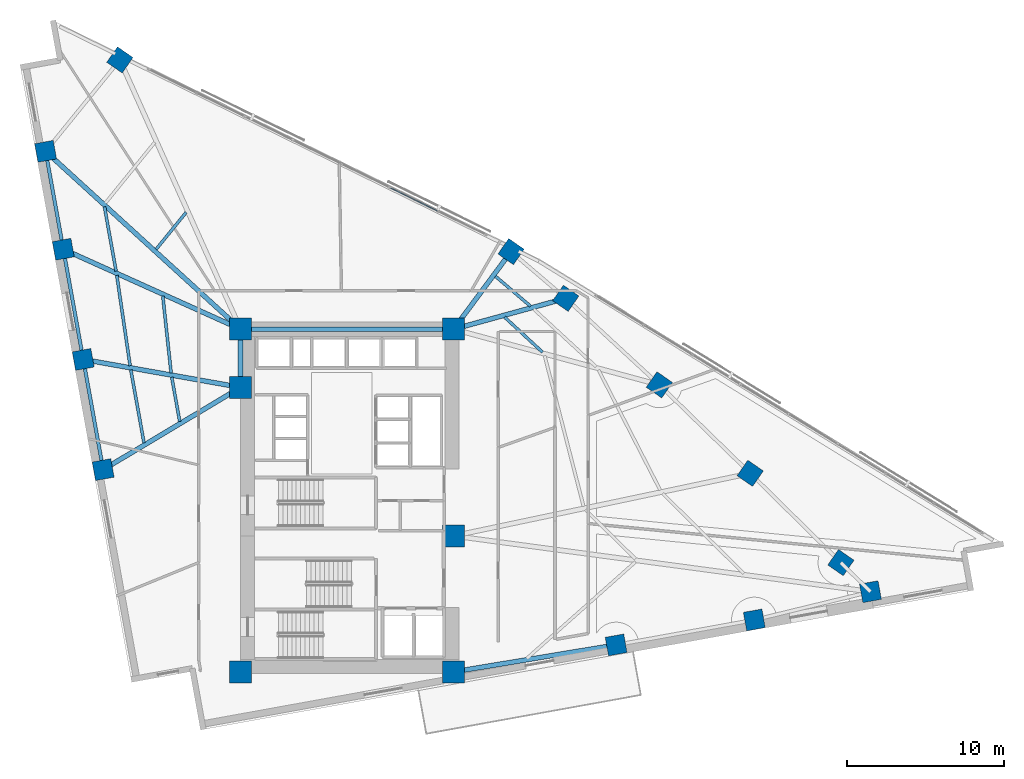
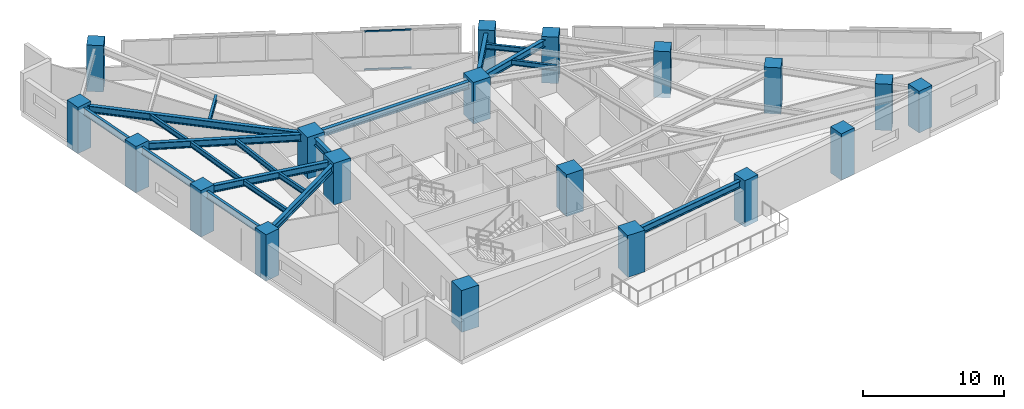
# One storey, part 1 of 18: 20 beams, 19 columns, 2 members, 1 element without a shape of its own.
"""IFC4 building model written with IfcOpenShell, lengths in metres."""

from ifc_helpers import new_model, si_unit, direction, frame, origin, origin_2d, place, context, subcontext, project, spatial, rectangle, hollow_rectangle, i_section, extrude, material, material_profile, profile_set, type_object, element, aggregate, save


model = new_model("IFC4")

# Units and contexts
model_context = context("Model", 3, precision=1e-05, world=origin(), true_north=direction((0.0, 1.0)))
body_context = subcontext(model_context, "Body", "Model", "MODEL_VIEW")
ifc_project = project(units=[si_unit("LENGTHUNIT", "METRE"), si_unit("AREAUNIT", "SQUARE_METRE"), si_unit("VOLUMEUNIT", "CUBIC_METRE"), si_unit("PLANEANGLEUNIT", "RADIAN"), si_unit("MASSUNIT", "GRAM", prefix="KILO")], contexts=[model_context])

# Site, building, storey
site_placement = place(None, origin())
site = spatial("IfcSite", under=ifc_project, at=site_placement, CompositionType="ELEMENT")
building_placement = place(site_placement, origin())
building = spatial("IfcBuilding", under=site, at=building_placement, Name="Narakoshi Arena Tower", CompositionType="ELEMENT")
storey_placement = place(building_placement, frame((0.0, 0.0, 95.699951171875)))
storey = spatial("IfcBuildingStorey", under=building, at=storey_placement, Name="L25", CompositionType="ELEMENT", Elevation=95.699951171875)

# Columns
ifc_material_1 = material(Name="Concrete C60/75", Category="concrete")
ifc_material_profile_1 = material_profile(ifc_material_1, rectangle(XDim=1.199951171875, YDim=1.199951171875, at=origin_2d()), Name="RC1200x1200")
ifc_profile_set_1 = profile_set([ifc_material_profile_1], Name="Concrete C60/75")
column_type_1 = type_object("IfcColumnType", Name="COL-RC1200", PredefinedType="COLUMN", material=ifc_profile_set_1)
for number, where, z_axis, x_axis, name in (
    (1, (95.89013671875, 36.411865234375, -0.39990234375), (0.0, 0.0, 1.0), (0.984040697646, 0.177943545474, 0.0), "L25 Tower Perimeter Column TC02"),
    (2, (104.681396484375, 38.00146484375, -0.39990234375), (0.0, 0.0, 1.0), (0.984040697646, 0.177943545474, 0.0), "L25 Tower Perimeter Column TC03"),
):
    element("IfcColumn", number, at=place(storey_placement, frame(where, z_axis=z_axis, x_axis=x_axis)), inside=storey, type_object=column_type_1, Name=name, PredefinedType="COLUMN", context=body_context, shape_type="SweptSolid", body=[
        extrude(rectangle(XDim=1.199951171875, YDim=1.199951171875, at=origin_2d()), origin(), (0.0, 0.0, 1.0), 4.0),
    ])
column_1_placement = place(storey_placement, frame((112.0703125, 39.7978515625, 0.0), z_axis=(0.0, 0.0, 1.0), x_axis=(0.984040697646, 0.177943545474, 0.0)))
element("IfcColumn", 3, at=column_1_placement, inside=storey, type_object=column_type_1, Name="L25 Tower Perimeter Column TC04", PredefinedType="COLUMN", context=body_context, shape_type="SweptSolid", body=[
    extrude(rectangle(XDim=1.199951171875, YDim=1.199951171875, at=origin_2d()), origin(), (0.0, 0.0, 1.0), 3.60009765625),
])
for number, where, z_axis, x_axis, name in (
    (4, (110.189208984375, 41.650146484375, -0.39990234375), (0.0, 0.0, 1.0), (0.569996762596, 0.821646937942, 0.0), "L25 Tower Perimeter Column TC05"),
    (5, (104.42041015625, 47.33056640625, -0.39990234375), (0.0, 0.0, 1.0), (0.569996762596, 0.821646937942, 0.0), "L25 Tower Perimeter Column TC06"),
    (6, (98.641357421875, 52.95849609375, -0.39990234375), (0.0, 0.0, 1.0), (0.569996762596, 0.821646937942, 0.0), "L25 Tower Perimeter Column TC07"),
    (7, (92.68994140625, 58.462890625, -0.39990234375), (0.0, 0.0, 1.0), (0.569996762596, 0.821646937942, 0.0), "L25 Tower Perimeter Column TC08"),
):
    element("IfcColumn", number, at=place(storey_placement, frame(where, z_axis=z_axis, x_axis=x_axis)), inside=storey, type_object=column_type_1, Name=name, PredefinedType="COLUMN", context=body_context, shape_type="SweptSolid", body=[
        extrude(rectangle(XDim=1.199951171875, YDim=1.199951171875, at=origin_2d()), origin(), (0.0, 0.0, 1.0), 4.0),
    ])
column_2_placement = place(storey_placement, frame((89.206787109375, 61.437744140625, 0.0), z_axis=(0.0, 0.0, 1.0), x_axis=(0.569996762596, 0.821646937942, 0.0)))
element("IfcColumn", 8, at=column_2_placement, inside=storey, type_object=column_type_1, Name="L25 Tower Perimeter Column TC09", PredefinedType="COLUMN", context=body_context, shape_type="SweptSolid", body=[
    extrude(rectangle(XDim=1.199951171875, YDim=1.199951171875, at=origin_2d()), origin(), (0.0, 0.0, 1.0), 3.60009765625),
])
for number, where, z_axis, x_axis, name in (
    (9, (64.31787109375, 73.633056640625, -0.39990234375), (0.0, 0.0, 1.0), (0.569996762596, 0.821646937942, 0.0), "L25 Tower Perimeter Column TC11"),
    (10, (59.593505859375, 67.81591796875, -0.39990234375), (0.0, 0.0, 1.0), (-0.177943545474, 0.984040697646, 0.0), "L25 Tower Perimeter Column TC13"),
    (11, (60.72021484375, 61.585205078125, -0.39990234375), (0.0, 0.0, 1.0), (-0.177943545474, 0.984040697646, 0.0), "L25 Tower Perimeter Column TC14"),
    (12, (61.98779296875, 54.575439453125, -0.39990234375), (0.0, 0.0, 1.0), (-0.177943545474, 0.984040697646, 0.0), "L25 Tower Perimeter Column TC15"),
    (13, (63.25537109375, 47.56591796875, -0.39990234375), (0.0, 0.0, 1.0), (-0.177943545474, 0.984040697646, 0.0), "L25 Tower Perimeter Column TC16"),
):
    element("IfcColumn", number, at=place(storey_placement, frame(where, z_axis=z_axis, x_axis=x_axis)), inside=storey, type_object=column_type_1, Name=name, PredefinedType="COLUMN", context=body_context, shape_type="SweptSolid", body=[
        extrude(rectangle(XDim=1.199951171875, YDim=1.199951171875, at=origin_2d()), origin(), (0.0, 0.0, 1.0), 4.0),
    ])
ifc_material_profile_2 = material_profile(ifc_material_1, rectangle(XDim=1.39990234375, YDim=1.39990234375, at=origin_2d()), Name="RC1400x1400")
ifc_profile_set_2 = profile_set([ifc_material_profile_2], Name="Concrete C60/75")
column_type_2 = type_object("IfcColumnType", Name="COL-RC1400", PredefinedType="COLUMN", material=ifc_profile_set_2)
for number, where, z_axis, x_axis, name in (
    (14, (72.0, 34.699951171875, 0.0), (0.0, 0.0, 1.0), (1.0, 0.0, 0.0), "L25 Core Structural Column CC1"),
    (15, (85.550048828125, 34.699951171875, 0.0), (0.0, 0.0, 1.0), (1.0, 0.0, 0.0), "L25 Core Structural Column CC2"),
    (16, (85.550048828125, 43.35009765625, 0.0), (0.0, 0.0, 1.0), (1.0, 0.0, 0.0), "L25 Core Structural Column CC3"),
    (17, (72.0, 52.800048828125, 0.0), (0.0, 0.0, 1.0), (1.0, 0.0, 0.0), "L25 Core Structural Column CC4"),
    (18, (72.0, 56.5, 0.0), (0.0, 0.0, 1.0), (1.0, 0.0, 0.0), "L25 Core Structural Column CC5"),
    (19, (85.550048828125, 56.5, 0.0), (0.0, 0.0, 1.0), (1.0, 0.0, 0.0), "L25 Core Structural Column CC6"),
):
    element("IfcColumn", number, at=place(storey_placement, frame(where, z_axis=z_axis, x_axis=x_axis)), inside=storey, type_object=column_type_2, Name=name, PredefinedType="COLUMN", context=body_context, shape_type="SweptSolid", body=[
        extrude(rectangle(XDim=1.39990234375, YDim=1.39990234375, at=origin_2d()), origin(), (0.0, 0.0, 1.0), 3.60009765625),
    ])

# Beams
ifc_material_2 = material(Name="Structural steel S355J2", Category="steel")
ifc_material_profile_3 = material_profile(ifc_material_2, i_section(OverallWidth=0.219970703125, OverallDepth=0.60009765625, WebThickness=0.011962890625, FlangeThickness=0.01904296875, FilletRadius=0.02392578125, at=origin_2d()), Name="IPE600")
ifc_profile_set_3 = profile_set([ifc_material_profile_3], Name="Structural steel S355J2")
beam_type_1 = type_object("IfcBeamType", Name="BM-EDGE-600", PredefinedType="BEAM", material=ifc_profile_set_3)
beam_1_placement = place(storey_placement, frame((59.593505859375, 67.81591796875, 3.0400390625), z_axis=(0.177945465207, -0.9840403505, 0.0), x_axis=(0.9840403505, 0.177945465207, 0.0)))
element("IfcBeam", 20, at=beam_1_placement, inside=storey, type_object=beam_type_1, Name="L25 Perimeter Edge Girder 10", PredefinedType="BEAM", context=body_context, shape_type="SweptSolid", body=[
    extrude(i_section(OverallWidth=0.219970703125, OverallDepth=0.60009765625, WebThickness=0.011962890625, FlangeThickness=0.01904296875, FilletRadius=0.02392578125, at=origin_2d()), origin(), (0.0, 0.0, 1.0), 6.331787109375),
])
beam_2_placement = place(storey_placement, frame((60.72021484375, 61.585205078125, 3.0400390625), z_axis=(0.177944362466, -0.98404054991, 0.0), x_axis=(0.98404054991, 0.177944362466, 0.0)))
element("IfcBeam", 21, at=beam_2_placement, inside=storey, type_object=beam_type_1, Name="L25 Perimeter Edge Girder 11", PredefinedType="BEAM", context=body_context, shape_type="SweptSolid", body=[
    extrude(i_section(OverallWidth=0.219970703125, OverallDepth=0.60009765625, WebThickness=0.011962890625, FlangeThickness=0.01904296875, FilletRadius=0.02392578125, at=origin_2d()), origin(), (0.0, 0.0, 1.0), 7.12353515625),
])
beam_3_placement = place(storey_placement, frame((61.98779296875, 54.575439453125, 3.0400390625), z_axis=(0.177950363985, -0.984039464634, 0.0), x_axis=(0.984039464634, 0.177950363985, 0.0)))
element("IfcBeam", 22, at=beam_3_placement, inside=storey, type_object=beam_type_1, Name="L25 Perimeter Edge Girder 12", PredefinedType="BEAM", context=body_context, shape_type="SweptSolid", body=[
    extrude(i_section(OverallWidth=0.219970703125, OverallDepth=0.60009765625, WebThickness=0.011962890625, FlangeThickness=0.01904296875, FilletRadius=0.02392578125, at=origin_2d()), origin(), (0.0, 0.0, 1.0), 7.123291015625),
])
ifc_material_profile_4 = material_profile(ifc_material_2, i_section(OverallWidth=0.300048828125, OverallDepth=0.60009765625, WebThickness=0.015380859375, FlangeThickness=0.030029296875, FilletRadius=0.027099609375, at=origin_2d()), Name="HE600B")
ifc_profile_set_4 = profile_set([ifc_material_profile_4], Name="Structural steel S355J2")
beam_type_2 = type_object("IfcBeamType", Name="BM-PRI-600", PredefinedType="BEAM", material=ifc_profile_set_4)
beam_4_placement = place(storey_placement, frame((85.550048828125, 34.699951171875, 3.0400390625), z_axis=(0.986570261116, 0.163337441762, 0.0), x_axis=(-0.163337441762, 0.986570261116, 0.0)))
element("IfcBeam", 23, at=beam_4_placement, inside=storey, type_object=beam_type_2, Name="L25 Radial Primary Floor Girder 01", PredefinedType="BEAM", context=body_context, shape_type="SweptSolid", body=[
    extrude(i_section(OverallWidth=0.300048828125, OverallDepth=0.60009765625, WebThickness=0.015380859375, FlangeThickness=0.030029296875, FilletRadius=0.027099609375, at=origin_2d()), origin(), (0.0, 0.0, 1.0), 10.48095703125),
])
beam_5_placement = place(storey_placement, frame((85.550048828125, 56.5, 3.0400390625), z_axis=(0.964225409977, 0.265083682551, 0.0), x_axis=(-0.265083682551, 0.964225409977, 0.0)))
element("IfcBeam", 24, at=beam_5_placement, inside=storey, type_object=beam_type_2, Name="L25 Radial Primary Floor Girder 07", PredefinedType="BEAM", context=body_context, shape_type="SweptSolid", body=[
    extrude(i_section(OverallWidth=0.300048828125, OverallDepth=0.60009765625, WebThickness=0.015380859375, FlangeThickness=0.030029296875, FilletRadius=0.027099609375, at=origin_2d()), origin(), (0.0, 0.0, 1.0), 7.40478515625),
])
beam_6_placement = place(storey_placement, frame((85.550048828125, 56.5, 3.0400390625), z_axis=(0.595138224279, 0.803623353321, 0.0), x_axis=(-0.803623353321, 0.595138224279, 0.0)))
element("IfcBeam", 25, at=beam_6_placement, inside=storey, type_object=beam_type_2, Name="L25 Radial Primary Floor Girder 08", PredefinedType="BEAM", context=body_context, shape_type="SweptSolid", body=[
    extrude(i_section(OverallWidth=0.300048828125, OverallDepth=0.60009765625, WebThickness=0.015380859375, FlangeThickness=0.030029296875, FilletRadius=0.027099609375, at=origin_2d()), origin(), (0.0, 0.0, 1.0), 6.144287109375),
])
beam_7_placement = place(storey_placement, frame((72.0, 56.5, 3.0400390625), z_axis=(-0.738833839277, 0.673887644893, 0.0), x_axis=(-0.673887644893, -0.738833839277, 0.0)))
element("IfcBeam", 26, at=beam_7_placement, inside=storey, type_object=beam_type_2, Name="L25 Radial Primary Floor Girder 10", PredefinedType="BEAM", context=body_context, shape_type="SweptSolid", body=[
    extrude(i_section(OverallWidth=0.300048828125, OverallDepth=0.60009765625, WebThickness=0.015380859375, FlangeThickness=0.030029296875, FilletRadius=0.027099609375, at=origin_2d()), origin(), (0.0, 0.0, 1.0), 16.7919921875),
])
beam_8_placement = place(storey_placement, frame((72.0, 56.5, 3.0400390625), z_axis=(-0.911639961566, 0.410989757142, 0.0), x_axis=(-0.410989757142, -0.911639961566, 0.0)))
element("IfcBeam", 27, at=beam_8_placement, inside=storey, type_object=beam_type_2, Name="L25 Radial Primary Floor Girder 11", PredefinedType="BEAM", context=body_context, shape_type="SweptSolid", body=[
    extrude(i_section(OverallWidth=0.300048828125, OverallDepth=0.60009765625, WebThickness=0.015380859375, FlangeThickness=0.030029296875, FilletRadius=0.027099609375, at=origin_2d()), origin(), (0.0, 0.0, 1.0), 12.373046875),
])
beam_9_placement = place(storey_placement, frame((72.0, 52.800048828125, 3.0400390625), z_axis=(-0.984639647685, 0.174598866568, 0.0), x_axis=(-0.174598866568, -0.984639647685, 0.0)))
element("IfcBeam", 28, at=beam_9_placement, inside=storey, type_object=beam_type_2, Name="L25 Radial Primary Floor Girder 12", PredefinedType="BEAM", context=body_context, shape_type="SweptSolid", body=[
    extrude(i_section(OverallWidth=0.300048828125, OverallDepth=0.60009765625, WebThickness=0.015380859375, FlangeThickness=0.030029296875, FilletRadius=0.027099609375, at=origin_2d()), origin(), (0.0, 0.0, 1.0), 10.16845703125),
])
beam_10_placement = place(storey_placement, frame((72.0, 52.800048828125, 3.0400390625), z_axis=(-0.858039895053, -0.513583039534, 0.0), x_axis=(0.513583039534, -0.858039895053, 0.0)))
element("IfcBeam", 29, at=beam_10_placement, inside=storey, type_object=beam_type_2, Name="L25 Radial Primary Floor Girder 13", PredefinedType="BEAM", context=body_context, shape_type="SweptSolid", body=[
    extrude(i_section(OverallWidth=0.300048828125, OverallDepth=0.60009765625, WebThickness=0.015380859375, FlangeThickness=0.030029296875, FilletRadius=0.027099609375, at=origin_2d()), origin(), (0.0, 0.0, 1.0), 10.19140625),
])
beam_11_placement = place(storey_placement, frame((72.0, 52.800048828125, 3.0400390625), z_axis=(0.0, 1.0, 0.0), x_axis=(-1.0, 0.0, 0.0)))
element("IfcBeam", 30, at=beam_11_placement, inside=storey, type_object=beam_type_2, Name="L25 Core Perimeter Frame Beam CC4-CC5", PredefinedType="BEAM", context=body_context, shape_type="SweptSolid", body=[
    extrude(i_section(OverallWidth=0.300048828125, OverallDepth=0.60009765625, WebThickness=0.015380859375, FlangeThickness=0.030029296875, FilletRadius=0.027099609375, at=origin_2d()), origin(), (0.0, 0.0, 1.0), 3.699951171875),
])
beam_12_placement = place(storey_placement, frame((72.0, 56.5, 3.0400390625), z_axis=(1.0, 0.0, 0.0), x_axis=(0.0, 1.0, 0.0)))
element("IfcBeam", 31, at=beam_12_placement, inside=storey, type_object=beam_type_2, Name="L25 Core Perimeter Frame Beam CC5-CC6", PredefinedType="BEAM", context=body_context, shape_type="SweptSolid", body=[
    extrude(i_section(OverallWidth=0.300048828125, OverallDepth=0.60009765625, WebThickness=0.015380859375, FlangeThickness=0.030029296875, FilletRadius=0.027099609375, at=origin_2d()), origin(), (0.0, 0.0, 1.0), 13.550048828125),
])
ifc_material_profile_5 = material_profile(ifc_material_2, i_section(OverallWidth=0.18994140625, OverallDepth=0.449951171875, WebThickness=0.009521484375, FlangeThickness=0.0146484375, FilletRadius=0.02099609375, at=origin_2d()), Name="IPE450")
ifc_profile_set_5 = profile_set([ifc_material_profile_5], Name="Structural steel S355J2")
beam_type_3 = type_object("IfcBeamType", Name="BM-SEC-450", PredefinedType="JOIST", material=ifc_profile_set_5)
beam_13_placement = place(storey_placement, frame((91.211181640625, 55.033447265625, 3.114990234375), z_axis=(-0.734152962366, 0.678984114578, 0.0), x_axis=(-0.678984114578, -0.734152962366, 0.0)))
element("IfcBeam", 32, at=beam_13_placement, inside=storey, type_object=beam_type_3, Name="L25 Composite Secondary Floor Joist 06", PredefinedType="JOIST", context=body_context, shape_type="SweptSolid", body=[
    extrude(i_section(OverallWidth=0.18994140625, OverallDepth=0.449951171875, WebThickness=0.009521484375, FlangeThickness=0.0146484375, FilletRadius=0.02099609375, at=origin_2d()), origin(), (0.0, 0.0, 1.0), 3.296875),
])
beam_14_placement = place(storey_placement, frame((90.4453125, 57.961669921875, 3.114990234375), z_axis=(-0.760382231872, 0.649475835927, 0.0), x_axis=(-0.649475835927, -0.760382231872, 0.0)))
element("IfcBeam", 33, at=beam_14_placement, inside=storey, type_object=beam_type_3, Name="L25 Composite Secondary Floor Joist 08", PredefinedType="JOIST", context=body_context, shape_type="SweptSolid", body=[
    extrude(i_section(OverallWidth=0.18994140625, OverallDepth=0.449951171875, WebThickness=0.009521484375, FlangeThickness=0.0146484375, FilletRadius=0.02099609375, at=origin_2d()), origin(), (0.0, 0.0, 1.0), 2.9365234375),
])
beam_15_placement = place(storey_placement, frame((68.53466796875, 63.93359375, 3.114990234375), z_axis=(-0.630431693458, -0.776244729376, 0.0), x_axis=(0.776244729376, -0.630431693458, 0.0)))
element("IfcBeam", 34, at=beam_15_placement, inside=storey, type_object=beam_type_3, Name="L25 Composite Secondary Floor Joist 09", PredefinedType="JOIST", context=body_context, shape_type="SweptSolid", body=[
    extrude(i_section(OverallWidth=0.18994140625, OverallDepth=0.449951171875, WebThickness=0.009521484375, FlangeThickness=0.0146484375, FilletRadius=0.02099609375, at=origin_2d()), origin(), (0.0, 0.0, 1.0), 3.027099609375),
])
beam_16_placement = place(storey_placement, frame((63.339599609375, 64.288330078125, 3.114990234375), z_axis=(0.177899481436, -0.984048664704, 0.0), x_axis=(0.984048664704, 0.177899481436, 0.0)))
element("IfcBeam", 35, at=beam_16_placement, inside=storey, type_object=beam_type_3, Name="L25 Composite Secondary Floor Joist 11", PredefinedType="JOIST", context=body_context, shape_type="SweptSolid", body=[
    extrude(i_section(OverallWidth=0.18994140625, OverallDepth=0.449951171875, WebThickness=0.009521484375, FlangeThickness=0.0146484375, FilletRadius=0.02099609375, at=origin_2d()), origin(), (0.0, 0.0, 1.0), 4.162353515625),
])
beam_17_placement = place(storey_placement, frame((67.051513671875, 58.603271484375, 3.114990234375), z_axis=(0.107509701648, -0.994204035423, 0.0), x_axis=(0.994204035423, 0.107509701648, 0.0)))
element("IfcBeam", 36, at=beam_17_placement, inside=storey, type_object=beam_type_3, Name="L25 Composite Secondary Floor Joist 12", PredefinedType="JOIST", context=body_context, shape_type="SweptSolid", body=[
    extrude(i_section(OverallWidth=0.18994140625, OverallDepth=0.449951171875, WebThickness=0.009521484375, FlangeThickness=0.0146484375, FilletRadius=0.02099609375, at=origin_2d()), origin(), (0.0, 0.0, 1.0), 4.91650390625),
])
beam_18_placement = place(storey_placement, frame((64.123779296875, 59.926025390625, 3.114990234375), z_axis=(0.145895495759, -0.989300007236, 0.0), x_axis=(0.989300007236, 0.145895495759, 0.0)))
element("IfcBeam", 37, at=beam_18_placement, inside=storey, type_object=beam_type_3, Name="L25 Composite Secondary Floor Joist 13", PredefinedType="JOIST", context=body_context, shape_type="SweptSolid", body=[
    extrude(i_section(OverallWidth=0.18994140625, OverallDepth=0.449951171875, WebThickness=0.009521484375, FlangeThickness=0.0146484375, FilletRadius=0.02099609375, at=origin_2d()), origin(), (0.0, 0.0, 1.0), 5.811767578125),
])
beam_19_placement = place(storey_placement, frame((67.61865234375, 53.448486328125, 3.114990234375), z_axis=(0.177970279924, -0.984035862895, 0.0), x_axis=(0.984035862895, 0.177970279924, 0.0)))
element("IfcBeam", 38, at=beam_19_placement, inside=storey, type_object=beam_type_3, Name="L25 Composite Secondary Floor Joist 14", PredefinedType="JOIST", context=body_context, shape_type="SweptSolid", body=[
    extrude(i_section(OverallWidth=0.18994140625, OverallDepth=0.449951171875, WebThickness=0.009521484375, FlangeThickness=0.0146484375, FilletRadius=0.02099609375, at=origin_2d()), origin(), (0.0, 0.0, 1.0), 2.8642578125),
])
beam_20_placement = place(storey_placement, frame((65.015380859375, 53.909912109375, 3.114990234375), z_axis=(0.177965200164, -0.984036781594, 0.0), x_axis=(0.984036781594, 0.177965200164, 0.0)))
element("IfcBeam", 39, at=beam_20_placement, inside=storey, type_object=beam_type_3, Name="L25 Composite Secondary Floor Joist 15", PredefinedType="JOIST", context=body_context, shape_type="SweptSolid", body=[
    extrude(i_section(OverallWidth=0.18994140625, OverallDepth=0.449951171875, WebThickness=0.009521484375, FlangeThickness=0.0146484375, FilletRadius=0.02099609375, at=origin_2d()), origin(), (0.0, 0.0, 1.0), 4.71630859375),
])

# Curtain wall, members
ifc_material_3 = material(Name="Anodised bronze aluminium 6063-T6", Category="aluminium")
curtain_wall_type = type_object("IfcCurtainWallType", Name="CW-HYP-LOW", PredefinedType="NOTDEFINED", material=ifc_material_3)
curtain_wall_placement = place(storey_placement, origin())
curtain_wall = element("IfcCurtainWall", 40, at=curtain_wall_placement, inside=storey, type_object=curtain_wall_type, Name="L25 Folded Hypotenuse Curtain Wall 2-1", PredefinedType="NOTDEFINED")
ifc_material_profile_6 = material_profile(ifc_material_3, hollow_rectangle(XDim=0.06494140625, YDim=0.1298828125, WallThickness=0.00390625, OuterFilletRadius=0.0048828125, at=origin_2d()), Name="TRN130x65x4")
ifc_profile_set_6 = profile_set([ifc_material_profile_6], Name="Anodised bronze aluminium 6063-T6")
member_type = type_object("IfcMemberType", Name="MEM-TRN-130", PredefinedType="USERDEFINED", material=ifc_profile_set_6)
member_1_placement = place(storey_placement, frame((84.525634765625, 64.02099609375, 0.032470703125), z_axis=(-0.897986843255, 0.440022305503, 0.0), x_axis=(-0.440022305503, -0.897986843255, 0.0)))
member_1 = element("IfcMember", 41, at=member_1_placement, type_object=member_type, Name="CW-01 transom 2.1", ObjectType="TRANSOM", PredefinedType="USERDEFINED", context=body_context, shape_type="SweptSolid", body=[
    extrude(hollow_rectangle(XDim=0.06494140625, YDim=0.1298828125, WallThickness=0.00390625, OuterFilletRadius=0.0048828125, at=origin_2d()), origin(), (0.0, 0.0, 1.0), 3.347412109375),
])
member_2_placement = place(storey_placement, frame((84.525634765625, 64.02099609375, 3.3076171875), z_axis=(-0.897986843255, 0.440022305503, 0.0), x_axis=(-0.440022305503, -0.897986843255, 0.0)))
member_2 = element("IfcMember", 42, at=member_2_placement, type_object=member_type, Name="CW-01 transom 2.2", ObjectType="TRANSOM", PredefinedType="USERDEFINED", context=body_context, shape_type="SweptSolid", body=[
    extrude(hollow_rectangle(XDim=0.06494140625, YDim=0.1298828125, WallThickness=0.00390625, OuterFilletRadius=0.0048828125, at=origin_2d()), origin(), (0.0, 0.0, 1.0), 3.347412109375),
])
aggregate(curtain_wall, [member_1, member_2])

save(model, "model.ifc")
